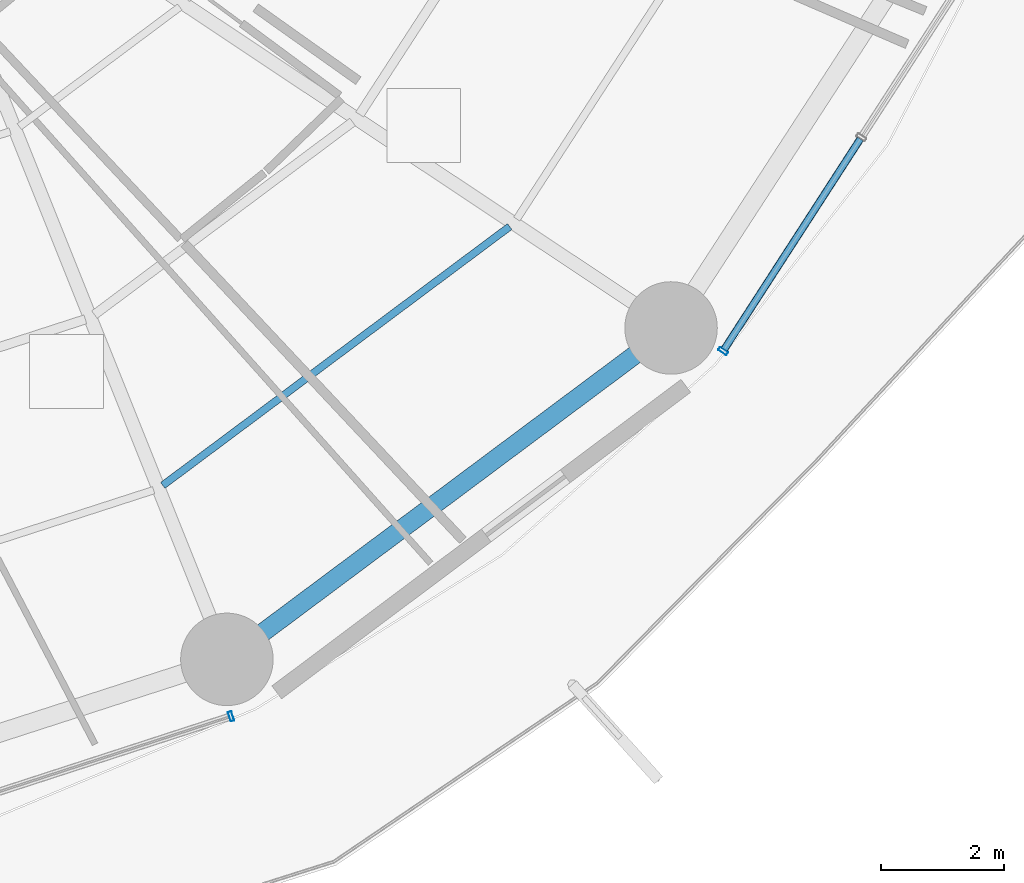
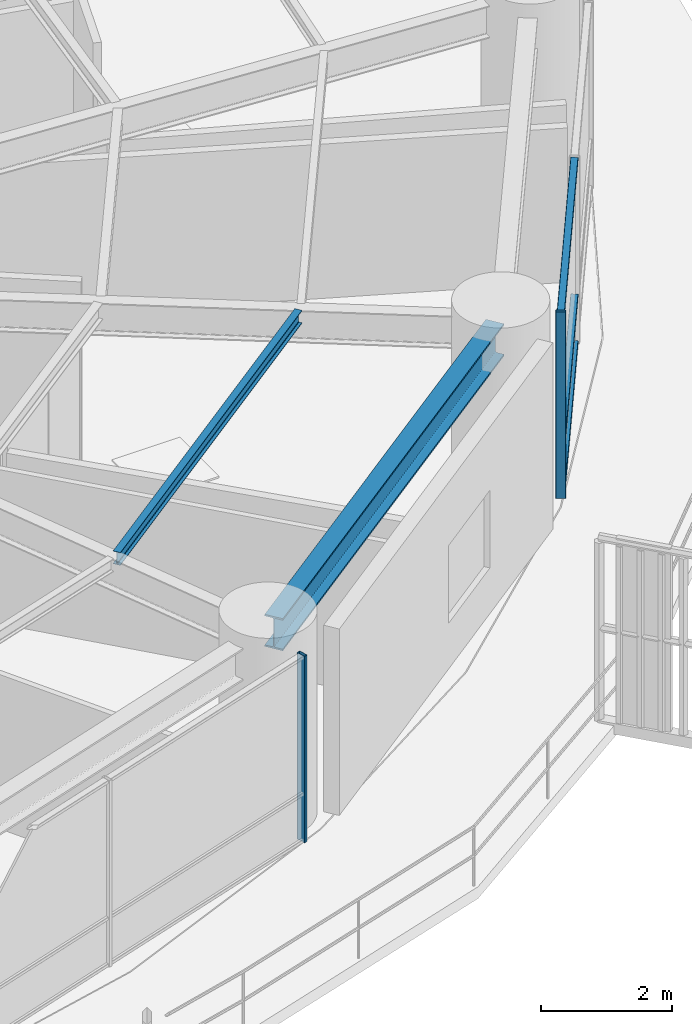
# One storey, part 9 of 35: 5 members, 2 beams, 2 elements without a shape of their own.
"""IFC4 building model written with IfcOpenShell, lengths in metres."""

from ifc_helpers import new_model, si_unit, direction, frame, origin, origin_2d, place, context, subcontext, project, spatial, hollow_rectangle, i_section, extrude, material, layer, layer_set, material_profile, profile_set, type_object, element, aggregate, save


model = new_model("IFC4")

# Units and contexts
model_context = context("Model", 3, precision=1e-05, world=origin(), true_north=direction((0.0, 1.0)))
body_context = subcontext(model_context, "Body", "Model", "MODEL_VIEW")
ifc_project = project(units=[si_unit("LENGTHUNIT", "METRE"), si_unit("AREAUNIT", "SQUARE_METRE"), si_unit("VOLUMEUNIT", "CUBIC_METRE"), si_unit("PLANEANGLEUNIT", "RADIAN"), si_unit("MASSUNIT", "GRAM", prefix="KILO")], contexts=[model_context])

# Site, building, storey
site_placement = place(None, origin())
site = spatial("IfcSite", under=ifc_project, at=site_placement, CompositionType="ELEMENT")
building_placement = place(site_placement, origin())
building = spatial("IfcBuilding", under=site, at=building_placement, Name="Kelanora Arch Commons", CompositionType="ELEMENT")
storey_placement = place(building_placement, frame((0.0, 0.0, 22.5)))
storey = spatial("IfcBuildingStorey", under=building, at=storey_placement, Name="L05", CompositionType="ELEMENT", Elevation=22.5)

# Beams
ifc_material_1 = material(Name="Steel S355", Category="steel")
ifc_material_profile_1 = material_profile(ifc_material_1, i_section(OverallWidth=0.1201171875, OverallDepth=0.239990234375, WebThickness=0.006103515625, FlangeThickness=0.009765625, FilletRadius=0.014892578125, at=origin_2d()), Name="IPE240")
ifc_profile_set_1 = profile_set([ifc_material_profile_1], Name="Steel S355")
beam_type_1 = type_object("IfcBeamType", Name="BM-JST-02", PredefinedType="JOIST", material=ifc_profile_set_1)
beam_1_placement = place(storey_placement, frame((86.5, 39.9677734375, 3.3701171875), z_axis=(0.80149131963, 0.598006408459, 0.0), x_axis=(-0.598006408459, 0.80149131963, 0.0)))
element("IfcBeam", 1, at=beam_1_placement, inside=storey, type_object=beam_type_1, Name="Secondary Chord Joist BJC-30 L05", PredefinedType="JOIST", context=body_context, shape_type="SweptSolid", body=[
    extrude(i_section(OverallWidth=0.1201171875, OverallDepth=0.239990234375, WebThickness=0.006103515625, FlangeThickness=0.009765625, FilletRadius=0.014892578125, at=origin_2d()), origin(), (0.0, 0.0, 1.0), 7.021240234375),
])
ifc_material_profile_2 = material_profile(ifc_material_1, i_section(OverallWidth=0.300048828125, OverallDepth=0.60009765625, WebThickness=0.015380859375, FlangeThickness=0.030029296875, FilletRadius=0.027099609375, at=origin_2d()), Name="HEB600")
ifc_profile_set_2 = profile_set([ifc_material_profile_2], Name="Steel S355")
beam_type_2 = type_object("IfcBeamType", Name="BM-SPN-Z1", PredefinedType="SPANDREL", material=ifc_profile_set_2)
beam_2_placement = place(storey_placement, frame((87.71630859375, 37.277587890625, 3.18994140625), z_axis=(0.801474585329, 0.598028836322, 0.0), x_axis=(-0.598028836322, 0.801474585329, 0.0)))
element("IfcBeam", 2, at=beam_2_placement, inside=storey, type_object=beam_type_2, Name="Perimeter Spandrel Beam BS-30 L05", PredefinedType="SPANDREL", context=body_context, shape_type="SweptSolid", body=[
    extrude(i_section(OverallWidth=0.300048828125, OverallDepth=0.60009765625, WebThickness=0.015380859375, FlangeThickness=0.030029296875, FilletRadius=0.027099609375, at=origin_2d()), origin(), (0.0, 0.0, 1.0), 8.549072265625),
])

# Curtain wall, member
ifc_material_2 = material(Name="Terracotta ceramic-fritted low-E glass and aluminium", Category="masonry")
ifc_layer = layer(ifc_material_2, 0.159912109375)
ifc_layer_set = layer_set([ifc_layer], Name="Terracotta ceramic-fritted low-E glass and aluminium")
curtain_wall_type = type_object("IfcCurtainWallType", Name="CW-SYS-01", PredefinedType="NOTDEFINED", material=ifc_layer_set)
curtain_wall_1_placement = place(storey_placement, origin())
curtain_wall_1 = element("IfcCurtainWall", 3, at=curtain_wall_1_placement, inside=storey, type_object=curtain_wall_type, Name="Unitised Curtain Wall L05-B14", PredefinedType="NOTDEFINED")
ifc_material_3 = material(Name="Powder-coated aluminium terracotta", Category="masonry")
ifc_material_profile_3 = material_profile(ifc_material_3, hollow_rectangle(XDim=0.159912109375, YDim=0.06005859375, WallThickness=0.0048828125, InnerFilletRadius=0.0048828125, OuterFilletRadius=0.010009765625, at=origin_2d()), Name="CWM160x60")
ifc_profile_set_3 = profile_set([ifc_material_profile_3], Name="Powder-coated aluminium terracotta")
member_type_1 = type_object("IfcMemberType", Name="CWM-STD", PredefinedType="MULLION", material=ifc_profile_set_3)
member_1_placement = place(storey_placement, frame((87.607666015625, 36.221923828125, 0.0), z_axis=(0.0, 0.0, 1.0), x_axis=(-0.30905758454, 0.951043326793, 0.0)))
member_1 = element("IfcMember", 4, at=member_1_placement, type_object=member_type_1, Name="CW-01 mullion 3", PredefinedType="MULLION", context=body_context, shape_type="SweptSolid", body=[
    extrude(hollow_rectangle(XDim=0.159912109375, YDim=0.06005859375, WallThickness=0.0048828125, InnerFilletRadius=0.0048828125, OuterFilletRadius=0.010009765625, at=origin_2d()), origin(), (0.0, 0.0, 1.0), 3.47509765625),
])
aggregate(curtain_wall_1, [member_1])

# Curtain wall, members
curtain_wall_2_placement = place(storey_placement, origin())
curtain_wall_2 = element("IfcCurtainWall", 5, at=curtain_wall_2_placement, inside=storey, type_object=curtain_wall_type, Name="Unitised Curtain Wall L05-B16", PredefinedType="NOTDEFINED")
member_2_placement = place(storey_placement, frame((95.58935546875, 42.14697265625, 0.0), z_axis=(0.0, 0.0, 1.0), x_axis=(-0.83972982332, 0.543004441812, 0.0)))
member_2 = element("IfcMember", 6, at=member_2_placement, type_object=member_type_1, Name="CW-01 mullion 1", PredefinedType="MULLION", context=body_context, shape_type="SweptSolid", body=[
    extrude(hollow_rectangle(XDim=0.159912109375, YDim=0.06005859375, WallThickness=0.0048828125, InnerFilletRadius=0.0048828125, OuterFilletRadius=0.010009765625, at=origin_2d()), origin(), (0.0, 0.0, 1.0), 3.47509765625),
])
ifc_material_profile_4 = material_profile(ifc_material_3, hollow_rectangle(XDim=0.1201171875, YDim=0.06005859375, WallThickness=0.0048828125, InnerFilletRadius=0.0048828125, OuterFilletRadius=0.010009765625, at=origin_2d()), Name="CWT120x60")
ifc_profile_set_4 = profile_set([ifc_material_profile_4], Name="Powder-coated aluminium terracotta")
member_type_2 = type_object("IfcMemberType", Name="CWT-STD", PredefinedType="USERDEFINED", material=ifc_profile_set_4)
member_3_placement = place(storey_placement, frame((95.605712890625, 42.17236328125, 0.030029296875), z_axis=(0.542997414293, 0.839734367566, 0.0), x_axis=(-0.839734367566, 0.542997414293, 0.0)))
member_3 = element("IfcMember", 7, at=member_3_placement, type_object=member_type_2, Name="CW-01 transom 1.1", ObjectType="TRANSOM", PredefinedType="USERDEFINED", context=body_context, shape_type="SweptSolid", body=[
    extrude(hollow_rectangle(XDim=0.1201171875, YDim=0.06005859375, WallThickness=0.0048828125, InnerFilletRadius=0.0048828125, OuterFilletRadius=0.010009765625, at=origin_2d()), origin(), (0.0, 0.0, 1.0), 4.067626953125),
])
member_4_placement = place(storey_placement, frame((95.605712890625, 42.17236328125, 0.89990234375), z_axis=(0.542997414293, 0.839734367566, 0.0), x_axis=(-0.839734367566, 0.542997414293, 0.0)))
member_4 = element("IfcMember", 8, at=member_4_placement, type_object=member_type_2, Name="CW-01 transom 1.2", ObjectType="TRANSOM", PredefinedType="USERDEFINED", context=body_context, shape_type="SweptSolid", body=[
    extrude(hollow_rectangle(XDim=0.1201171875, YDim=0.06005859375, WallThickness=0.0048828125, InnerFilletRadius=0.0048828125, OuterFilletRadius=0.010009765625, at=origin_2d()), origin(), (0.0, 0.0, 1.0), 4.067626953125),
])
member_5_placement = place(storey_placement, frame((95.605712890625, 42.17236328125, 3.445068359375), z_axis=(0.542997414293, 0.839734367566, 0.0), x_axis=(-0.839734367566, 0.542997414293, 0.0)))
member_5 = element("IfcMember", 9, at=member_5_placement, type_object=member_type_2, Name="CW-01 transom 1.3", ObjectType="TRANSOM", PredefinedType="USERDEFINED", context=body_context, shape_type="SweptSolid", body=[
    extrude(hollow_rectangle(XDim=0.1201171875, YDim=0.06005859375, WallThickness=0.0048828125, InnerFilletRadius=0.0048828125, OuterFilletRadius=0.010009765625, at=origin_2d()), origin(), (0.0, 0.0, 1.0), 4.067626953125),
])
aggregate(curtain_wall_2, [member_2, member_3, member_4, member_5])

save(model, "model.ifc")
